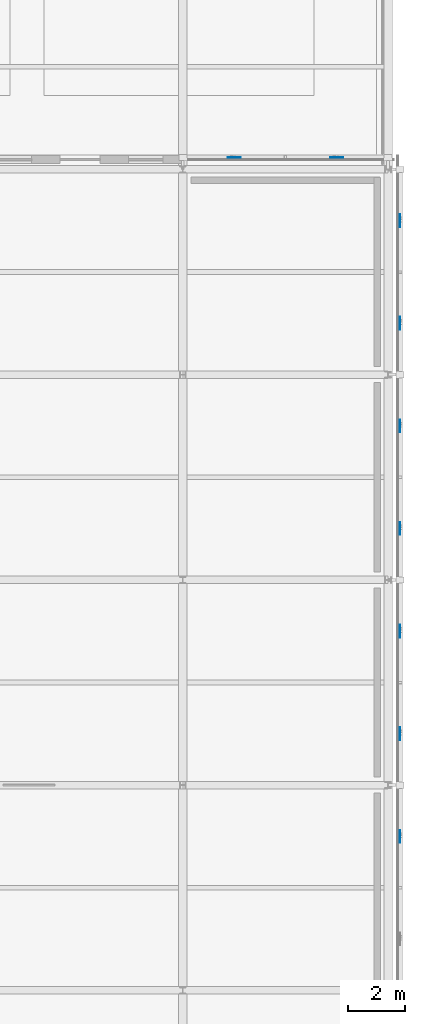
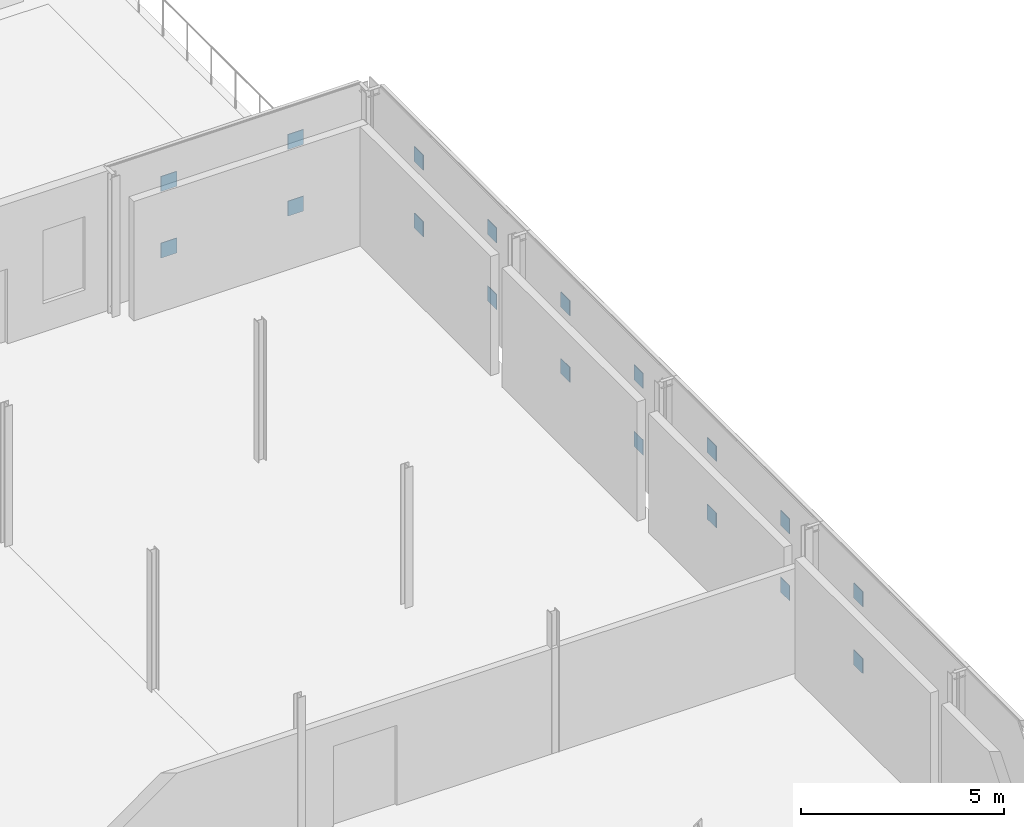
# One storey, part 100 of 126: 18 plates.
"""IFC4 building model written with IfcOpenShell, lengths in metres."""

from ifc_helpers import new_model, si_unit, direction, frame, origin, origin_2d, place, context, subcontext, project, spatial, rectangle, extrude, material, layer, layer_set, type_object, element, save


model = new_model("IFC4")

# Units and contexts
model_context = context("Model", 3, precision=1e-05, world=origin(), true_north=direction((0.0, 1.0)))
body_context = subcontext(model_context, "Body", "Model", "MODEL_VIEW")
ifc_project = project(units=[si_unit("LENGTHUNIT", "METRE"), si_unit("AREAUNIT", "SQUARE_METRE"), si_unit("VOLUMEUNIT", "CUBIC_METRE"), si_unit("PLANEANGLEUNIT", "RADIAN"), si_unit("MASSUNIT", "GRAM", prefix="KILO")], contexts=[model_context])

# Site, building, storey
site_placement = place(None, origin())
site = spatial("IfcSite", under=ifc_project, at=site_placement, CompositionType="ELEMENT")
building_placement = place(site_placement, origin())
building = spatial("IfcBuilding", under=site, at=building_placement, Name="Zlatovets Crest Museum", CompositionType="ELEMENT")
storey_placement = place(building_placement, frame((0.0, 0.0, 8.699951171875)))
storey = spatial("IfcBuildingStorey", under=building, at=storey_placement, Name="L02", CompositionType="ELEMENT", Elevation=8.699951171875)

# Plates
ifc_material = material(Name="Structural steel S355J2", Category="steel")
ifc_layer = layer(ifc_material, 0.02001953125)
ifc_layer_set = layer_set([ifc_layer], Name="Structural steel S355J2")
plate_type = type_object("IfcPlateType", Name="Gusset_GP-04", PredefinedType="USERDEFINED", material=ifc_layer_set)
for number, where, z_axis, x_axis, name in (
    (1, (166.02001953125, 34.199951171875, 0.875), (0.0, 0.0, 1.0), (1.0, 0.0, 0.0), "X-Brace Crossing Node Gusset Plate GP-04"),
    (2, (166.02001953125, 34.199951171875, 2.875), (0.0, 0.0, 1.0), (1.0, 0.0, 0.0), "X-Brace Crossing Node Gusset Plate GP-04"),
    (3, (166.02001953125, 37.800048828125, 0.875), (0.0, 0.0, 1.0), (1.0, 0.0, 0.0), "X-Brace Crossing Node Gusset Plate GP-04"),
    (4, (166.02001953125, 41.39990234375, 0.875), (0.0, 0.0, 1.0), (1.0, 0.0, 0.0), "X-Brace Crossing Node Gusset Plate GP-04"),
    (5, (166.02001953125, 37.800048828125, 2.875), (0.0, 0.0, 1.0), (1.0, 0.0, 0.0), "X-Brace Crossing Node Gusset Plate GP-04"),
    (6, (166.02001953125, 41.39990234375, 2.875), (0.0, 0.0, 1.0), (1.0, 0.0, 0.0), "X-Brace Crossing Node Gusset Plate GP-04"),
    (7, (166.02001953125, 45.0, 0.875), (0.0, 0.0, 1.0), (1.0, 0.0, 0.0), "X-Brace Crossing Node Gusset Plate GP-04"),
    (8, (166.02001953125, 48.60009765625, 0.875), (0.0, 0.0, 1.0), (1.0, 0.0, 0.0), "X-Brace Crossing Node Gusset Plate GP-04"),
    (9, (166.02001953125, 45.0, 2.875), (0.0, 0.0, 1.0), (1.0, 0.0, 0.0), "X-Brace Crossing Node Gusset Plate GP-04"),
    (10, (166.02001953125, 48.60009765625, 2.875), (0.0, 0.0, 1.0), (1.0, 0.0, 0.0), "X-Brace Crossing Node Gusset Plate GP-04"),
    (11, (166.02001953125, 52.199951171875, 0.875), (0.0, 0.0, 1.0), (1.0, 0.0, 0.0), "X-Brace Crossing Node Gusset Plate GP-04"),
    (12, (166.02001953125, 55.800048828125, 0.875), (0.0, 0.0, 1.0), (1.0, 0.0, 0.0), "X-Brace Crossing Node Gusset Plate GP-04"),
    (13, (166.02001953125, 52.199951171875, 2.875), (0.0, 0.0, 1.0), (1.0, 0.0, 0.0), "X-Brace Crossing Node Gusset Plate GP-04"),
    (14, (166.02001953125, 55.800048828125, 2.875), (0.0, 0.0, 1.0), (1.0, 0.0, 0.0), "X-Brace Crossing Node Gusset Plate GP-04"),
):
    element("IfcPlate", number, at=place(storey_placement, frame(where, z_axis=z_axis, x_axis=x_axis)), inside=storey, type_object=plate_type, Name=name, ObjectType="GUSSET", PredefinedType="USERDEFINED", context=body_context, shape_type="SweptSolid", body=[
        extrude(rectangle(XDim=0.02001953125, YDim=0.449951171875, at=origin_2d()), origin(), (0.0, 0.0, 1.0), 0.449951171875),
    ])
for number, where, z_axis, x_axis, name in (
    (15, (163.800048828125, 58.02001953125, 0.875), (0.0, 0.0, 1.0), (1.0, 0.0, 0.0), "X-Brace Crossing Node Gusset Plate GP-04"),
    (16, (160.199951171875, 58.02001953125, 0.875), (0.0, 0.0, 1.0), (1.0, 0.0, 0.0), "X-Brace Crossing Node Gusset Plate GP-04"),
    (17, (163.800048828125, 58.02001953125, 2.875), (0.0, 0.0, 1.0), (1.0, 0.0, 0.0), "X-Brace Crossing Node Gusset Plate GP-04"),
    (18, (160.199951171875, 58.02001953125, 2.875), (0.0, 0.0, 1.0), (1.0, 0.0, 0.0), "X-Brace Crossing Node Gusset Plate GP-04"),
):
    element("IfcPlate", number, at=place(storey_placement, frame(where, z_axis=z_axis, x_axis=x_axis)), inside=storey, type_object=plate_type, Name=name, ObjectType="GUSSET", PredefinedType="USERDEFINED", context=body_context, shape_type="SweptSolid", body=[
        extrude(rectangle(XDim=0.449951171875, YDim=0.02001953125, at=origin_2d()), origin(), (0.0, 0.0, 1.0), 0.449951171875),
    ])

save(model, "model.ifc")
